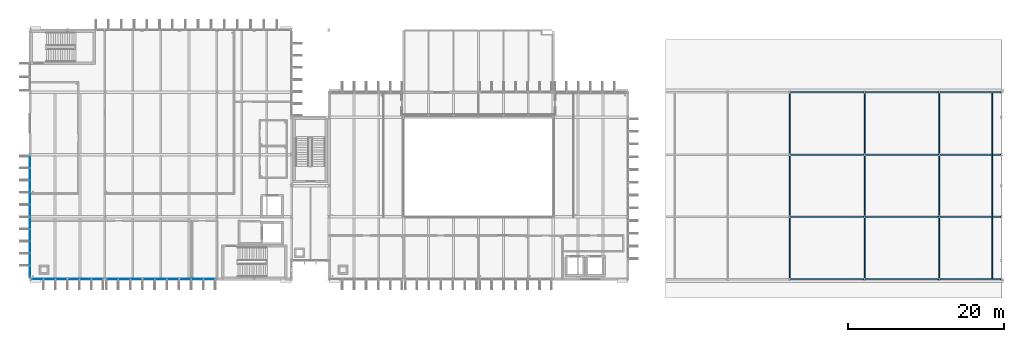
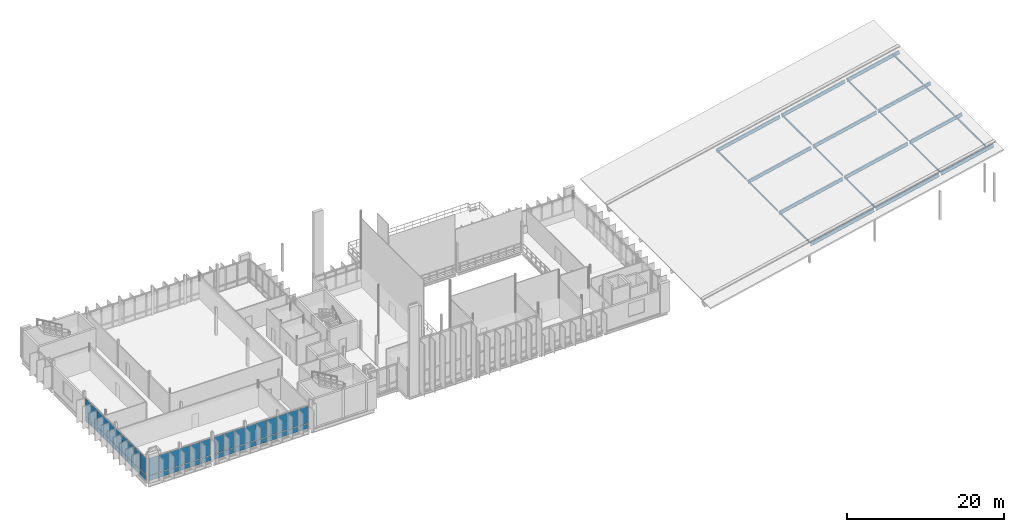
# One storey, part 18 of 41: 50 plates, 24 members, 3 elements without a shape of their own.
"""IFC4 building model written with IfcOpenShell, lengths in metres."""

from ifc_helpers import new_model, si_unit, direction, frame, origin, origin_2d, place, context, subcontext, project, spatial, rectangle, i_section, extrude, material, layer, layer_set, material_profile, profile_set, type_object, element, aggregate, save


model = new_model("IFC4")

# Units and contexts
model_context = context("Model", 3, precision=1e-05, world=origin(), true_north=direction((0.0, 1.0)))
body_context = subcontext(model_context, "Body", "Model", "MODEL_VIEW")
ifc_project = project(units=[si_unit("LENGTHUNIT", "METRE"), si_unit("AREAUNIT", "SQUARE_METRE"), si_unit("VOLUMEUNIT", "CUBIC_METRE"), si_unit("PLANEANGLEUNIT", "RADIAN"), si_unit("MASSUNIT", "GRAM", prefix="KILO")], contexts=[model_context])

# Site, building, storey
site_placement = place(None, origin())
site = spatial("IfcSite", under=ifc_project, at=site_placement, CompositionType="ELEMENT")
building_placement = place(site_placement, origin())
building = spatial("IfcBuilding", under=site, at=building_placement, Name="Dunescarp Central Library", CompositionType="ELEMENT")
storey_placement = place(building_placement, frame((0.0, 0.0, 23.10009765625)))
storey = spatial("IfcBuildingStorey", under=building, at=storey_placement, Name="L05", CompositionType="ELEMENT", Elevation=23.10009765625)

# Members
ifc_material_1 = material(Name="Steel S355JR", Category="steel")
ifc_material_profile_1 = material_profile(ifc_material_1, i_section(OverallWidth=0.1201171875, OverallDepth=0.239990234375, WebThickness=0.006103515625, FlangeThickness=0.009765625, at=origin_2d()), Name="IPE 240")
ifc_profile_set_1 = profile_set([ifc_material_profile_1], Name="Steel S355JR")
member_type_1 = type_object("IfcMemberType", Name="STR-PR-IPE240", PredefinedType="PURLIN", material=ifc_profile_set_1)
for number, where, z_axis, x_axis, name in (
    (1, (97.60009765625, 4.902099609375, 3.17578125), (0.0, 1.0, 0.0), (-1.0, 0.0, 0.0), "V3 roof purlin PR-V3-022"),
    (2, (97.60009765625, 12.902099609375, 3.17578125), (0.0, 1.0, 0.0), (-1.0, 0.0, 0.0), "V3 roof purlin PR-V3-023"),
    (3, (97.60009765625, 20.902099609375, 3.17578125), (0.0, 1.0, 0.0), (-1.0, 0.0, 0.0), "V3 roof purlin PR-V3-024"),
    (4, (107.199951171875, 4.902099609375, 5.308837890625), (0.0, 1.0, 0.0), (-1.0, 0.0, 0.0), "V3 roof purlin PR-V3-025"),
    (5, (107.199951171875, 12.902099609375, 5.308837890625), (0.0, 1.0, 0.0), (-1.0, 0.0, 0.0), "V3 roof purlin PR-V3-026"),
    (6, (107.199951171875, 20.902099609375, 5.308837890625), (0.0, 1.0, 0.0), (-1.0, 0.0, 0.0), "V3 roof purlin PR-V3-027"),
    (7, (116.800048828125, 4.902099609375, 7.44189453125), (0.0, 1.0, 0.0), (-1.0, 0.0, 0.0), "V3 roof purlin PR-V3-028"),
    (8, (116.800048828125, 12.902099609375, 7.44189453125), (0.0, 1.0, 0.0), (-1.0, 0.0, 0.0), "V3 roof purlin PR-V3-029"),
    (9, (116.800048828125, 20.902099609375, 7.44189453125), (0.0, 1.0, 0.0), (-1.0, 0.0, 0.0), "V3 roof purlin PR-V3-030"),
    (10, (123.60009765625, 4.902099609375, 8.953857421875), (0.0, 1.0, 0.0), (-1.0, 0.0, 0.0), "V3 roof purlin PR-V3-031"),
    (11, (123.60009765625, 12.902099609375, 8.953857421875), (0.0, 1.0, 0.0), (-1.0, 0.0, 0.0), "V3 roof purlin PR-V3-032"),
    (12, (123.60009765625, 20.902099609375, 8.953857421875), (0.0, 1.0, 0.0), (-1.0, 0.0, 0.0), "V3 roof purlin PR-V3-033"),
):
    element("IfcMember", number, at=place(storey_placement, frame(where, z_axis=z_axis, x_axis=x_axis)), inside=storey, type_object=member_type_1, Name=name, PredefinedType="PURLIN", context=body_context, shape_type="SweptSolid", body=[
        extrude(i_section(OverallWidth=0.1201171875, OverallDepth=0.239990234375, WebThickness=0.006103515625, FlangeThickness=0.009765625, at=origin_2d()), origin(), (0.0, 0.0, 1.0), 7.7958984375),
    ])
ifc_material_profile_2 = material_profile(ifc_material_1, i_section(OverallWidth=0.209228515625, OverallDepth=0.533203125, WebThickness=0.010009765625, FlangeThickness=0.015625, at=origin_2d()), Name="UB 533x210x92")
ifc_profile_set_2 = profile_set([ifc_material_profile_2], Name="Steel S355JR")
member_type_2 = type_object("IfcMemberType", Name="STR-RF-UB533", PredefinedType="RAFTER", material=ifc_profile_set_2)
member_1_placement = place(storey_placement, frame((97.716064453125, 4.800048828125, 2.81884765625), z_axis=(0.97618107379, 0.0, 0.216957394837), x_axis=(0.0, 1.0, 0.0)))
element("IfcMember", 13, at=member_1_placement, inside=storey, type_object=member_type_2, Name="V3 raked roof rafter RFT-V3-019", PredefinedType="RAFTER", context=body_context, shape_type="SweptSolid", body=[
    extrude(i_section(OverallWidth=0.209228515625, OverallDepth=0.533203125, WebThickness=0.010009765625, FlangeThickness=0.015625, at=origin_2d()), origin(), (0.0, 0.0, 1.0), 9.596435546875),
])
member_2_placement = place(storey_placement, frame((107.31591796875, 4.800048828125, 4.951904296875), z_axis=(0.976182271247, 0.0, 0.216952006911), x_axis=(0.0, 1.0, 0.0)))
element("IfcMember", 14, at=member_2_placement, inside=storey, type_object=member_type_2, Name="V3 raked roof rafter RFT-V3-020", PredefinedType="RAFTER", context=body_context, shape_type="SweptSolid", body=[
    extrude(i_section(OverallWidth=0.209228515625, OverallDepth=0.533203125, WebThickness=0.010009765625, FlangeThickness=0.015625, at=origin_2d()), origin(), (0.0, 0.0, 1.0), 9.5966796875),
])
member_3_placement = place(storey_placement, frame((116.916015625, 4.800048828125, 7.0859375), z_axis=(0.976191391351, 0.0, 0.216910966649), x_axis=(0.0, 1.0, 0.0)))
element("IfcMember", 15, at=member_3_placement, inside=storey, type_object=member_type_2, Name="V3 raked roof rafter RFT-V3-021", PredefinedType="RAFTER", context=body_context, shape_type="SweptSolid", body=[
    extrude(i_section(OverallWidth=0.209228515625, OverallDepth=0.533203125, WebThickness=0.010009765625, FlangeThickness=0.015625, at=origin_2d()), origin(), (0.0, 0.0, 1.0), 7.95751953125),
])
member_4_placement = place(storey_placement, frame((97.716064453125, 12.800048828125, 2.81884765625), z_axis=(0.97618107379, 0.0, 0.216957394837), x_axis=(0.0, 1.0, 0.0)))
element("IfcMember", 16, at=member_4_placement, inside=storey, type_object=member_type_2, Name="V3 raked roof rafter RFT-V3-024", PredefinedType="RAFTER", context=body_context, shape_type="SweptSolid", body=[
    extrude(i_section(OverallWidth=0.209228515625, OverallDepth=0.533203125, WebThickness=0.010009765625, FlangeThickness=0.015625, at=origin_2d()), origin(), (0.0, 0.0, 1.0), 9.596435546875),
])
member_5_placement = place(storey_placement, frame((107.31591796875, 12.800048828125, 4.951904296875), z_axis=(0.976182271247, 0.0, 0.216952006911), x_axis=(0.0, 1.0, 0.0)))
element("IfcMember", 17, at=member_5_placement, inside=storey, type_object=member_type_2, Name="V3 raked roof rafter RFT-V3-025", PredefinedType="RAFTER", context=body_context, shape_type="SweptSolid", body=[
    extrude(i_section(OverallWidth=0.209228515625, OverallDepth=0.533203125, WebThickness=0.010009765625, FlangeThickness=0.015625, at=origin_2d()), origin(), (0.0, 0.0, 1.0), 9.5966796875),
])
member_6_placement = place(storey_placement, frame((116.916015625, 12.800048828125, 7.0859375), z_axis=(0.976191391351, 0.0, 0.216910966649), x_axis=(0.0, 1.0, 0.0)))
element("IfcMember", 18, at=member_6_placement, inside=storey, type_object=member_type_2, Name="V3 raked roof rafter RFT-V3-026", PredefinedType="RAFTER", context=body_context, shape_type="SweptSolid", body=[
    extrude(i_section(OverallWidth=0.209228515625, OverallDepth=0.533203125, WebThickness=0.010009765625, FlangeThickness=0.015625, at=origin_2d()), origin(), (0.0, 0.0, 1.0), 7.95751953125),
])
member_7_placement = place(storey_placement, frame((97.716064453125, 20.800048828125, 2.81884765625), z_axis=(0.97618107379, 0.0, 0.216957394837), x_axis=(0.0, 1.0, 0.0)))
element("IfcMember", 19, at=member_7_placement, inside=storey, type_object=member_type_2, Name="V3 raked roof rafter RFT-V3-029", PredefinedType="RAFTER", context=body_context, shape_type="SweptSolid", body=[
    extrude(i_section(OverallWidth=0.209228515625, OverallDepth=0.533203125, WebThickness=0.010009765625, FlangeThickness=0.015625, at=origin_2d()), origin(), (0.0, 0.0, 1.0), 9.596435546875),
])
member_8_placement = place(storey_placement, frame((107.31591796875, 20.800048828125, 4.951904296875), z_axis=(0.976182271247, 0.0, 0.216952006911), x_axis=(0.0, 1.0, 0.0)))
element("IfcMember", 20, at=member_8_placement, inside=storey, type_object=member_type_2, Name="V3 raked roof rafter RFT-V3-030", PredefinedType="RAFTER", context=body_context, shape_type="SweptSolid", body=[
    extrude(i_section(OverallWidth=0.209228515625, OverallDepth=0.533203125, WebThickness=0.010009765625, FlangeThickness=0.015625, at=origin_2d()), origin(), (0.0, 0.0, 1.0), 9.5966796875),
])
member_9_placement = place(storey_placement, frame((116.916015625, 20.800048828125, 7.0859375), z_axis=(0.976191391351, 0.0, 0.216910966649), x_axis=(0.0, 1.0, 0.0)))
element("IfcMember", 21, at=member_9_placement, inside=storey, type_object=member_type_2, Name="V3 raked roof rafter RFT-V3-031", PredefinedType="RAFTER", context=body_context, shape_type="SweptSolid", body=[
    extrude(i_section(OverallWidth=0.209228515625, OverallDepth=0.533203125, WebThickness=0.010009765625, FlangeThickness=0.015625, at=origin_2d()), origin(), (0.0, 0.0, 1.0), 7.95751953125),
])
member_10_placement = place(storey_placement, frame((97.716064453125, 28.800048828125, 2.81884765625), z_axis=(0.97618107379, 0.0, 0.216957394837), x_axis=(0.0, 1.0, 0.0)))
element("IfcMember", 22, at=member_10_placement, inside=storey, type_object=member_type_2, Name="V3 raked roof rafter RFT-V3-034", PredefinedType="RAFTER", context=body_context, shape_type="SweptSolid", body=[
    extrude(i_section(OverallWidth=0.209228515625, OverallDepth=0.533203125, WebThickness=0.010009765625, FlangeThickness=0.015625, at=origin_2d()), origin(), (0.0, 0.0, 1.0), 9.596435546875),
])
member_11_placement = place(storey_placement, frame((107.31591796875, 28.800048828125, 4.951904296875), z_axis=(0.976182271247, 0.0, 0.216952006911), x_axis=(0.0, 1.0, 0.0)))
element("IfcMember", 23, at=member_11_placement, inside=storey, type_object=member_type_2, Name="V3 raked roof rafter RFT-V3-035", PredefinedType="RAFTER", context=body_context, shape_type="SweptSolid", body=[
    extrude(i_section(OverallWidth=0.209228515625, OverallDepth=0.533203125, WebThickness=0.010009765625, FlangeThickness=0.015625, at=origin_2d()), origin(), (0.0, 0.0, 1.0), 9.5966796875),
])
member_12_placement = place(storey_placement, frame((116.916015625, 28.800048828125, 7.0859375), z_axis=(0.976191391351, 0.0, 0.216910966649), x_axis=(0.0, 1.0, 0.0)))
element("IfcMember", 24, at=member_12_placement, inside=storey, type_object=member_type_2, Name="V3 raked roof rafter RFT-V3-036", PredefinedType="RAFTER", context=body_context, shape_type="SweptSolid", body=[
    extrude(i_section(OverallWidth=0.209228515625, OverallDepth=0.533203125, WebThickness=0.010009765625, FlangeThickness=0.015625, at=origin_2d()), origin(), (0.0, 0.0, 1.0), 7.95751953125),
])

# Curtain wall, plates
ifc_material_2 = material(Name="Marine-grade anodised aluminium 6063-T6", Category="aluminium")
curtain_wall_type = type_object("IfcCurtainWallType", Name="ARC-CW-STICK", PredefinedType="NOTDEFINED", material=ifc_material_2)
curtain_wall_1_placement = place(storey_placement, origin())
curtain_wall_1 = element("IfcCurtainWall", 25, at=curtain_wall_1_placement, inside=storey, type_object=curtain_wall_type, Name="L05 curtain wall CW-V1-031", PredefinedType="NOTDEFINED")
ifc_material_3 = material(Name="Solar-control laminated double glazing", Category="glass")
ifc_layer_1 = layer(ifc_material_3, 0.028076171875)
ifc_layer_set_1 = layer_set([ifc_layer_1], Name="Solar-control laminated double glazing")
plate_type_1 = type_object("IfcPlateType", Name="ARC-PLT-GLZ28", PredefinedType="CURTAIN_PANEL", material=ifc_layer_set_1)
plate_1_placement = place(storey_placement, frame((8.63427734375, 4.800048828125, 0.93994140625), z_axis=(0.0, 0.0, 1.0), x_axis=(-1.0, 0.0, 0.0)))
plate_1 = element("IfcPlate", 26, at=plate_1_placement, type_object=plate_type_1, Name="CW-V1-031 panel 1.2", PredefinedType="CURTAIN_PANEL", context=body_context, shape_type="SweptSolid", body=[
    extrude(rectangle(XDim=1.421630859375, YDim=0.028076171875, at=origin_2d()), origin(), (0.0, 0.0, 1.0), 2.633056640625),
])
plate_2_placement = place(storey_placement, frame((7.112548828125, 4.800048828125, 0.93994140625), z_axis=(0.0, 0.0, 1.0), x_axis=(-1.0, 0.0, 0.0)))
plate_2 = element("IfcPlate", 27, at=plate_2_placement, type_object=plate_type_1, Name="CW-V1-031 panel 2.2", PredefinedType="CURTAIN_PANEL", context=body_context, shape_type="SweptSolid", body=[
    extrude(rectangle(XDim=1.461669921875, YDim=0.028076171875, at=origin_2d()), origin(), (0.0, 0.0, 1.0), 2.633056640625),
])
plate_3_placement = place(storey_placement, frame((5.57080078125, 4.800048828125, 0.93994140625), z_axis=(0.0, 0.0, 1.0), x_axis=(-1.0, 0.0, 0.0)))
plate_3 = element("IfcPlate", 28, at=plate_3_placement, type_object=plate_type_1, Name="CW-V1-031 panel 3.2", PredefinedType="CURTAIN_PANEL", context=body_context, shape_type="SweptSolid", body=[
    extrude(rectangle(XDim=1.461669921875, YDim=0.028076171875, at=origin_2d()), origin(), (0.0, 0.0, 1.0), 2.633056640625),
])
plate_4_placement = place(storey_placement, frame((4.029052734375, 4.800048828125, 0.93994140625), z_axis=(0.0, 0.0, 1.0), x_axis=(-1.0, 0.0, 0.0)))
plate_4 = element("IfcPlate", 29, at=plate_4_placement, type_object=plate_type_1, Name="CW-V1-031 panel 4.2", PredefinedType="CURTAIN_PANEL", context=body_context, shape_type="SweptSolid", body=[
    extrude(rectangle(XDim=1.461669921875, YDim=0.028076171875, at=origin_2d()), origin(), (0.0, 0.0, 1.0), 2.633056640625),
])
plate_5_placement = place(storey_placement, frame((2.487548828125, 4.800048828125, 0.93994140625), z_axis=(0.0, 0.0, 1.0), x_axis=(-1.0, 0.0, 0.0)))
plate_5 = element("IfcPlate", 30, at=plate_5_placement, type_object=plate_type_1, Name="CW-V1-031 panel 5.2", PredefinedType="CURTAIN_PANEL", context=body_context, shape_type="SweptSolid", body=[
    extrude(rectangle(XDim=1.461669921875, YDim=0.028076171875, at=origin_2d()), origin(), (0.0, 0.0, 1.0), 2.633056640625),
])
plate_6_placement = place(storey_placement, frame((0.9658203125, 4.800048828125, 0.93994140625), z_axis=(0.0, 0.0, 1.0), x_axis=(-1.0, 0.0, 0.0)))
plate_6 = element("IfcPlate", 31, at=plate_6_placement, type_object=plate_type_1, Name="CW-V1-031 panel 6.2", PredefinedType="CURTAIN_PANEL", context=body_context, shape_type="SweptSolid", body=[
    extrude(rectangle(XDim=1.421630859375, YDim=0.028076171875, at=origin_2d()), origin(), (0.0, 0.0, 1.0), 2.633056640625),
])

curtain_wall_2_placement = place(storey_placement, origin())
curtain_wall_2 = element("IfcCurtainWall", 32, at=curtain_wall_2_placement, inside=storey, type_object=curtain_wall_type, Name="L05 curtain wall CW-V1-032", PredefinedType="NOTDEFINED")
plate_7_placement = place(storey_placement, frame((23.0244140625, 4.800048828125, 0.93994140625), z_axis=(0.0, 0.0, 1.0), x_axis=(-1.0, 0.0, 0.0)))
plate_7 = element("IfcPlate", 33, at=plate_7_placement, type_object=plate_type_1, Name="CW-V1-032 panel 1.2", PredefinedType="CURTAIN_PANEL", context=body_context, shape_type="SweptSolid", body=[
    extrude(rectangle(XDim=1.441162109375, YDim=0.028076171875, at=origin_2d()), origin(), (0.0, 0.0, 1.0), 2.633056640625),
])
plate_8_placement = place(storey_placement, frame((21.4833984375, 4.800048828125, 0.93994140625), z_axis=(0.0, 0.0, 1.0), x_axis=(-1.0, 0.0, 0.0)))
plate_8 = element("IfcPlate", 34, at=plate_8_placement, type_object=plate_type_1, Name="CW-V1-032 panel 2.2", PredefinedType="CURTAIN_PANEL", context=body_context, shape_type="SweptSolid", body=[
    extrude(rectangle(XDim=1.481201171875, YDim=0.028076171875, at=origin_2d()), origin(), (0.0, 0.0, 1.0), 2.633056640625),
])
plate_9_placement = place(storey_placement, frame((19.922119140625, 4.800048828125, 0.93994140625), z_axis=(0.0, 0.0, 1.0), x_axis=(-1.0, 0.0, 0.0)))
plate_9 = element("IfcPlate", 35, at=plate_9_placement, type_object=plate_type_1, Name="CW-V1-032 panel 3.2", PredefinedType="CURTAIN_PANEL", context=body_context, shape_type="SweptSolid", body=[
    extrude(rectangle(XDim=1.481201171875, YDim=0.028076171875, at=origin_2d()), origin(), (0.0, 0.0, 1.0), 2.633056640625),
])
plate_10_placement = place(storey_placement, frame((18.361083984375, 4.800048828125, 0.93994140625), z_axis=(0.0, 0.0, 1.0), x_axis=(-1.0, 0.0, 0.0)))
plate_10 = element("IfcPlate", 36, at=plate_10_placement, type_object=plate_type_1, Name="CW-V1-032 panel 4.2", PredefinedType="CURTAIN_PANEL", context=body_context, shape_type="SweptSolid", body=[
    extrude(rectangle(XDim=1.481201171875, YDim=0.028076171875, at=origin_2d()), origin(), (0.0, 0.0, 1.0), 2.633056640625),
])
plate_11_placement = place(storey_placement, frame((16.800048828125, 4.800048828125, 0.93994140625), z_axis=(0.0, 0.0, 1.0), x_axis=(-1.0, 0.0, 0.0)))
plate_11 = element("IfcPlate", 37, at=plate_11_placement, type_object=plate_type_1, Name="CW-V1-032 panel 5.2", PredefinedType="CURTAIN_PANEL", context=body_context, shape_type="SweptSolid", body=[
    extrude(rectangle(XDim=1.481201171875, YDim=0.028076171875, at=origin_2d()), origin(), (0.0, 0.0, 1.0), 2.633056640625),
])
plate_12_placement = place(storey_placement, frame((15.23876953125, 4.800048828125, 0.93994140625), z_axis=(0.0, 0.0, 1.0), x_axis=(-1.0, 0.0, 0.0)))
plate_12 = element("IfcPlate", 38, at=plate_12_placement, type_object=plate_type_1, Name="CW-V1-032 panel 6.2", PredefinedType="CURTAIN_PANEL", context=body_context, shape_type="SweptSolid", body=[
    extrude(rectangle(XDim=1.481201171875, YDim=0.028076171875, at=origin_2d()), origin(), (0.0, 0.0, 1.0), 2.633056640625),
])
plate_13_placement = place(storey_placement, frame((13.677734375, 4.800048828125, 0.93994140625), z_axis=(0.0, 0.0, 1.0), x_axis=(-1.0, 0.0, 0.0)))
plate_13 = element("IfcPlate", 39, at=plate_13_placement, type_object=plate_type_1, Name="CW-V1-032 panel 7.2", PredefinedType="CURTAIN_PANEL", context=body_context, shape_type="SweptSolid", body=[
    extrude(rectangle(XDim=1.481201171875, YDim=0.028076171875, at=origin_2d()), origin(), (0.0, 0.0, 1.0), 2.633056640625),
])
plate_14_placement = place(storey_placement, frame((12.11669921875, 4.800048828125, 0.93994140625), z_axis=(0.0, 0.0, 1.0), x_axis=(-1.0, 0.0, 0.0)))
plate_14 = element("IfcPlate", 40, at=plate_14_placement, type_object=plate_type_1, Name="CW-V1-032 panel 8.2", PredefinedType="CURTAIN_PANEL", context=body_context, shape_type="SweptSolid", body=[
    extrude(rectangle(XDim=1.481201171875, YDim=0.028076171875, at=origin_2d()), origin(), (0.0, 0.0, 1.0), 2.633056640625),
])
plate_15_placement = place(storey_placement, frame((10.575439453125, 4.800048828125, 0.93994140625), z_axis=(0.0, 0.0, 1.0), x_axis=(-1.0, 0.0, 0.0)))
plate_15 = element("IfcPlate", 41, at=plate_15_placement, type_object=plate_type_1, Name="CW-V1-032 panel 9.2", PredefinedType="CURTAIN_PANEL", context=body_context, shape_type="SweptSolid", body=[
    extrude(rectangle(XDim=1.441162109375, YDim=0.028076171875, at=origin_2d()), origin(), (0.0, 0.0, 1.0), 2.633056640625),
])

curtain_wall_3_placement = place(storey_placement, origin())
curtain_wall_3 = element("IfcCurtainWall", 42, at=curtain_wall_3_placement, inside=storey, type_object=curtain_wall_type, Name="L05 curtain wall CW-V1-035", PredefinedType="NOTDEFINED")
plate_16_placement = place(storey_placement, frame((0.0, 5.777587890625, 0.93994140625), z_axis=(0.0, 0.0, 1.0), x_axis=(0.0, 1.0, 0.0)))
plate_16 = element("IfcPlate", 43, at=plate_16_placement, type_object=plate_type_1, Name="CW-V1-035 panel 1.2", PredefinedType="CURTAIN_PANEL", context=body_context, shape_type="SweptSolid", body=[
    extrude(rectangle(XDim=1.445068359375, YDim=0.028076171875, at=origin_2d()), origin(), (0.0, 0.0, 1.0), 2.633056640625),
])
plate_17_placement = place(storey_placement, frame((0.0, 7.322509765625, 0.93994140625), z_axis=(0.0, 0.0, 1.0), x_axis=(0.0, 1.0, 0.0)))
plate_17 = element("IfcPlate", 44, at=plate_17_placement, type_object=plate_type_1, Name="CW-V1-035 panel 2.2", PredefinedType="CURTAIN_PANEL", context=body_context, shape_type="SweptSolid", body=[
    extrude(rectangle(XDim=1.485107421875, YDim=0.028076171875, at=origin_2d()), origin(), (0.0, 0.0, 1.0), 2.633056640625),
])
plate_18_placement = place(storey_placement, frame((0.0, 8.887451171875, 0.93994140625), z_axis=(0.0, 0.0, 1.0), x_axis=(0.0, 1.0, 0.0)))
plate_18 = element("IfcPlate", 45, at=plate_18_placement, type_object=plate_type_1, Name="CW-V1-035 panel 3.2", PredefinedType="CURTAIN_PANEL", context=body_context, shape_type="SweptSolid", body=[
    extrude(rectangle(XDim=1.485107421875, YDim=0.028076171875, at=origin_2d()), origin(), (0.0, 0.0, 1.0), 2.633056640625),
])
plate_19_placement = place(storey_placement, frame((0.0, 10.452392578125, 0.93994140625), z_axis=(0.0, 0.0, 1.0), x_axis=(0.0, 1.0, 0.0)))
plate_19 = element("IfcPlate", 46, at=plate_19_placement, type_object=plate_type_1, Name="CW-V1-035 panel 4.2", PredefinedType="CURTAIN_PANEL", context=body_context, shape_type="SweptSolid", body=[
    extrude(rectangle(XDim=1.485107421875, YDim=0.028076171875, at=origin_2d()), origin(), (0.0, 0.0, 1.0), 2.633056640625),
])
plate_20_placement = place(storey_placement, frame((0.0, 12.017578125, 0.93994140625), z_axis=(0.0, 0.0, 1.0), x_axis=(0.0, 1.0, 0.0)))
plate_20 = element("IfcPlate", 47, at=plate_20_placement, type_object=plate_type_1, Name="CW-V1-035 panel 5.2", PredefinedType="CURTAIN_PANEL", context=body_context, shape_type="SweptSolid", body=[
    extrude(rectangle(XDim=1.485107421875, YDim=0.028076171875, at=origin_2d()), origin(), (0.0, 0.0, 1.0), 2.633056640625),
])
plate_21_placement = place(storey_placement, frame((0.0, 13.58251953125, 0.93994140625), z_axis=(0.0, 0.0, 1.0), x_axis=(0.0, 1.0, 0.0)))
plate_21 = element("IfcPlate", 48, at=plate_21_placement, type_object=plate_type_1, Name="CW-V1-035 panel 6.2", PredefinedType="CURTAIN_PANEL", context=body_context, shape_type="SweptSolid", body=[
    extrude(rectangle(XDim=1.485107421875, YDim=0.028076171875, at=origin_2d()), origin(), (0.0, 0.0, 1.0), 2.633056640625),
])
plate_22_placement = place(storey_placement, frame((0.0, 15.1474609375, 0.93994140625), z_axis=(0.0, 0.0, 1.0), x_axis=(0.0, 1.0, 0.0)))
plate_22 = element("IfcPlate", 49, at=plate_22_placement, type_object=plate_type_1, Name="CW-V1-035 panel 7.2", PredefinedType="CURTAIN_PANEL", context=body_context, shape_type="SweptSolid", body=[
    extrude(rectangle(XDim=1.485107421875, YDim=0.028076171875, at=origin_2d()), origin(), (0.0, 0.0, 1.0), 2.633056640625),
])
plate_23_placement = place(storey_placement, frame((0.0, 16.71240234375, 0.93994140625), z_axis=(0.0, 0.0, 1.0), x_axis=(0.0, 1.0, 0.0)))
plate_23 = element("IfcPlate", 50, at=plate_23_placement, type_object=plate_type_1, Name="CW-V1-035 panel 8.2", PredefinedType="CURTAIN_PANEL", context=body_context, shape_type="SweptSolid", body=[
    extrude(rectangle(XDim=1.485107421875, YDim=0.028076171875, at=origin_2d()), origin(), (0.0, 0.0, 1.0), 2.633056640625),
])
plate_24_placement = place(storey_placement, frame((0.0, 18.277587890625, 0.93994140625), z_axis=(0.0, 0.0, 1.0), x_axis=(0.0, 1.0, 0.0)))
plate_24 = element("IfcPlate", 51, at=plate_24_placement, type_object=plate_type_1, Name="CW-V1-035 panel 9.2", PredefinedType="CURTAIN_PANEL", context=body_context, shape_type="SweptSolid", body=[
    extrude(rectangle(XDim=1.485107421875, YDim=0.028076171875, at=origin_2d()), origin(), (0.0, 0.0, 1.0), 2.633056640625),
])
plate_25_placement = place(storey_placement, frame((0.0, 19.822509765625, 0.93994140625), z_axis=(0.0, 0.0, 1.0), x_axis=(0.0, 1.0, 0.0)))
plate_25 = element("IfcPlate", 52, at=plate_25_placement, type_object=plate_type_1, Name="CW-V1-035 panel 10.2", PredefinedType="CURTAIN_PANEL", context=body_context, shape_type="SweptSolid", body=[
    extrude(rectangle(XDim=1.445068359375, YDim=0.028076171875, at=origin_2d()), origin(), (0.0, 0.0, 1.0), 2.633056640625),
])

# Plate
ifc_layer_2 = layer(ifc_material_2, 0.050048828125)
ifc_layer_set_2 = layer_set([ifc_layer_2], Name="Marine-grade anodised aluminium 6063-T6")
plate_type_2 = type_object("IfcPlateType", Name="ARC-PLT-SPN50", PredefinedType="SHEET", material=ifc_layer_set_2)
plate_26_placement = place(storey_placement, frame((8.63427734375, 4.800048828125, 0.080078125), z_axis=(0.0, 0.0, 1.0), x_axis=(-1.0, 0.0, 0.0)))
plate_26 = element("IfcPlate", 53, at=plate_26_placement, type_object=plate_type_2, Name="CW-V1-031 panel 1.1", PredefinedType="SHEET", context=body_context, shape_type="SweptSolid", body=[
    extrude(rectangle(XDim=1.421630859375, YDim=0.050048828125, at=origin_2d()), origin(), (0.0, 0.0, 1.0), 0.780029296875),
])

plate_27_placement = place(storey_placement, frame((7.112548828125, 4.800048828125, 0.080078125), z_axis=(0.0, 0.0, 1.0), x_axis=(-1.0, 0.0, 0.0)))
plate_27 = element("IfcPlate", 54, at=plate_27_placement, type_object=plate_type_2, Name="CW-V1-031 panel 2.1", PredefinedType="SHEET", context=body_context, shape_type="SweptSolid", body=[
    extrude(rectangle(XDim=1.461669921875, YDim=0.050048828125, at=origin_2d()), origin(), (0.0, 0.0, 1.0), 0.780029296875),
])

plate_28_placement = place(storey_placement, frame((5.57080078125, 4.800048828125, 0.080078125), z_axis=(0.0, 0.0, 1.0), x_axis=(-1.0, 0.0, 0.0)))
plate_28 = element("IfcPlate", 55, at=plate_28_placement, type_object=plate_type_2, Name="CW-V1-031 panel 3.1", PredefinedType="SHEET", context=body_context, shape_type="SweptSolid", body=[
    extrude(rectangle(XDim=1.461669921875, YDim=0.050048828125, at=origin_2d()), origin(), (0.0, 0.0, 1.0), 0.780029296875),
])

plate_29_placement = place(storey_placement, frame((4.029052734375, 4.800048828125, 0.080078125), z_axis=(0.0, 0.0, 1.0), x_axis=(-1.0, 0.0, 0.0)))
plate_29 = element("IfcPlate", 56, at=plate_29_placement, type_object=plate_type_2, Name="CW-V1-031 panel 4.1", PredefinedType="SHEET", context=body_context, shape_type="SweptSolid", body=[
    extrude(rectangle(XDim=1.461669921875, YDim=0.050048828125, at=origin_2d()), origin(), (0.0, 0.0, 1.0), 0.780029296875),
])

plate_30_placement = place(storey_placement, frame((2.487548828125, 4.800048828125, 0.080078125), z_axis=(0.0, 0.0, 1.0), x_axis=(-1.0, 0.0, 0.0)))
plate_30 = element("IfcPlate", 57, at=plate_30_placement, type_object=plate_type_2, Name="CW-V1-031 panel 5.1", PredefinedType="SHEET", context=body_context, shape_type="SweptSolid", body=[
    extrude(rectangle(XDim=1.461669921875, YDim=0.050048828125, at=origin_2d()), origin(), (0.0, 0.0, 1.0), 0.780029296875),
])

plate_31_placement = place(storey_placement, frame((0.9658203125, 4.800048828125, 0.080078125), z_axis=(0.0, 0.0, 1.0), x_axis=(-1.0, 0.0, 0.0)))
plate_31 = element("IfcPlate", 58, at=plate_31_placement, type_object=plate_type_2, Name="CW-V1-031 panel 6.1", PredefinedType="SHEET", context=body_context, shape_type="SweptSolid", body=[
    extrude(rectangle(XDim=1.421630859375, YDim=0.050048828125, at=origin_2d()), origin(), (0.0, 0.0, 1.0), 0.780029296875),
])

aggregate(curtain_wall_1, [plate_26, plate_1, plate_27, plate_2, plate_28, plate_3, plate_29, plate_4, plate_30, plate_5, plate_31, plate_6])

plate_32_placement = place(storey_placement, frame((23.0244140625, 4.800048828125, 0.080078125), z_axis=(0.0, 0.0, 1.0), x_axis=(-1.0, 0.0, 0.0)))
plate_32 = element("IfcPlate", 59, at=plate_32_placement, type_object=plate_type_2, Name="CW-V1-032 panel 1.1", PredefinedType="SHEET", context=body_context, shape_type="SweptSolid", body=[
    extrude(rectangle(XDim=1.441162109375, YDim=0.050048828125, at=origin_2d()), origin(), (0.0, 0.0, 1.0), 0.780029296875),
])

plate_33_placement = place(storey_placement, frame((21.4833984375, 4.800048828125, 0.080078125), z_axis=(0.0, 0.0, 1.0), x_axis=(-1.0, 0.0, 0.0)))
plate_33 = element("IfcPlate", 60, at=plate_33_placement, type_object=plate_type_2, Name="CW-V1-032 panel 2.1", PredefinedType="SHEET", context=body_context, shape_type="SweptSolid", body=[
    extrude(rectangle(XDim=1.481201171875, YDim=0.050048828125, at=origin_2d()), origin(), (0.0, 0.0, 1.0), 0.780029296875),
])

plate_34_placement = place(storey_placement, frame((19.922119140625, 4.800048828125, 0.080078125), z_axis=(0.0, 0.0, 1.0), x_axis=(-1.0, 0.0, 0.0)))
plate_34 = element("IfcPlate", 61, at=plate_34_placement, type_object=plate_type_2, Name="CW-V1-032 panel 3.1", PredefinedType="SHEET", context=body_context, shape_type="SweptSolid", body=[
    extrude(rectangle(XDim=1.481201171875, YDim=0.050048828125, at=origin_2d()), origin(), (0.0, 0.0, 1.0), 0.780029296875),
])

plate_35_placement = place(storey_placement, frame((18.361083984375, 4.800048828125, 0.080078125), z_axis=(0.0, 0.0, 1.0), x_axis=(-1.0, 0.0, 0.0)))
plate_35 = element("IfcPlate", 62, at=plate_35_placement, type_object=plate_type_2, Name="CW-V1-032 panel 4.1", PredefinedType="SHEET", context=body_context, shape_type="SweptSolid", body=[
    extrude(rectangle(XDim=1.481201171875, YDim=0.050048828125, at=origin_2d()), origin(), (0.0, 0.0, 1.0), 0.780029296875),
])

plate_36_placement = place(storey_placement, frame((16.800048828125, 4.800048828125, 0.080078125), z_axis=(0.0, 0.0, 1.0), x_axis=(-1.0, 0.0, 0.0)))
plate_36 = element("IfcPlate", 63, at=plate_36_placement, type_object=plate_type_2, Name="CW-V1-032 panel 5.1", PredefinedType="SHEET", context=body_context, shape_type="SweptSolid", body=[
    extrude(rectangle(XDim=1.481201171875, YDim=0.050048828125, at=origin_2d()), origin(), (0.0, 0.0, 1.0), 0.780029296875),
])

plate_37_placement = place(storey_placement, frame((15.23876953125, 4.800048828125, 0.080078125), z_axis=(0.0, 0.0, 1.0), x_axis=(-1.0, 0.0, 0.0)))
plate_37 = element("IfcPlate", 64, at=plate_37_placement, type_object=plate_type_2, Name="CW-V1-032 panel 6.1", PredefinedType="SHEET", context=body_context, shape_type="SweptSolid", body=[
    extrude(rectangle(XDim=1.481201171875, YDim=0.050048828125, at=origin_2d()), origin(), (0.0, 0.0, 1.0), 0.780029296875),
])

plate_38_placement = place(storey_placement, frame((13.677734375, 4.800048828125, 0.080078125), z_axis=(0.0, 0.0, 1.0), x_axis=(-1.0, 0.0, 0.0)))
plate_38 = element("IfcPlate", 65, at=plate_38_placement, type_object=plate_type_2, Name="CW-V1-032 panel 7.1", PredefinedType="SHEET", context=body_context, shape_type="SweptSolid", body=[
    extrude(rectangle(XDim=1.481201171875, YDim=0.050048828125, at=origin_2d()), origin(), (0.0, 0.0, 1.0), 0.780029296875),
])

plate_39_placement = place(storey_placement, frame((12.11669921875, 4.800048828125, 0.080078125), z_axis=(0.0, 0.0, 1.0), x_axis=(-1.0, 0.0, 0.0)))
plate_39 = element("IfcPlate", 66, at=plate_39_placement, type_object=plate_type_2, Name="CW-V1-032 panel 8.1", PredefinedType="SHEET", context=body_context, shape_type="SweptSolid", body=[
    extrude(rectangle(XDim=1.481201171875, YDim=0.050048828125, at=origin_2d()), origin(), (0.0, 0.0, 1.0), 0.780029296875),
])

plate_40_placement = place(storey_placement, frame((10.575439453125, 4.800048828125, 0.080078125), z_axis=(0.0, 0.0, 1.0), x_axis=(-1.0, 0.0, 0.0)))
plate_40 = element("IfcPlate", 67, at=plate_40_placement, type_object=plate_type_2, Name="CW-V1-032 panel 9.1", PredefinedType="SHEET", context=body_context, shape_type="SweptSolid", body=[
    extrude(rectangle(XDim=1.441162109375, YDim=0.050048828125, at=origin_2d()), origin(), (0.0, 0.0, 1.0), 0.780029296875),
])

aggregate(curtain_wall_2, [plate_32, plate_7, plate_33, plate_8, plate_34, plate_9, plate_35, plate_10, plate_36, plate_11, plate_37, plate_12, plate_38, plate_13, plate_39, plate_14, plate_40, plate_15])

plate_41_placement = place(storey_placement, frame((0.0, 5.777587890625, 0.080078125), z_axis=(0.0, 0.0, 1.0), x_axis=(0.0, 1.0, 0.0)))
plate_41 = element("IfcPlate", 68, at=plate_41_placement, type_object=plate_type_2, Name="CW-V1-035 panel 1.1", PredefinedType="SHEET", context=body_context, shape_type="SweptSolid", body=[
    extrude(rectangle(XDim=1.445068359375, YDim=0.050048828125, at=origin_2d()), origin(), (0.0, 0.0, 1.0), 0.780029296875),
])

plate_42_placement = place(storey_placement, frame((0.0, 7.322509765625, 0.080078125), z_axis=(0.0, 0.0, 1.0), x_axis=(0.0, 1.0, 0.0)))
plate_42 = element("IfcPlate", 69, at=plate_42_placement, type_object=plate_type_2, Name="CW-V1-035 panel 2.1", PredefinedType="SHEET", context=body_context, shape_type="SweptSolid", body=[
    extrude(rectangle(XDim=1.485107421875, YDim=0.050048828125, at=origin_2d()), origin(), (0.0, 0.0, 1.0), 0.780029296875),
])

plate_43_placement = place(storey_placement, frame((0.0, 8.887451171875, 0.080078125), z_axis=(0.0, 0.0, 1.0), x_axis=(0.0, 1.0, 0.0)))
plate_43 = element("IfcPlate", 70, at=plate_43_placement, type_object=plate_type_2, Name="CW-V1-035 panel 3.1", PredefinedType="SHEET", context=body_context, shape_type="SweptSolid", body=[
    extrude(rectangle(XDim=1.485107421875, YDim=0.050048828125, at=origin_2d()), origin(), (0.0, 0.0, 1.0), 0.780029296875),
])

plate_44_placement = place(storey_placement, frame((0.0, 10.452392578125, 0.080078125), z_axis=(0.0, 0.0, 1.0), x_axis=(0.0, 1.0, 0.0)))
plate_44 = element("IfcPlate", 71, at=plate_44_placement, type_object=plate_type_2, Name="CW-V1-035 panel 4.1", PredefinedType="SHEET", context=body_context, shape_type="SweptSolid", body=[
    extrude(rectangle(XDim=1.485107421875, YDim=0.050048828125, at=origin_2d()), origin(), (0.0, 0.0, 1.0), 0.780029296875),
])

plate_45_placement = place(storey_placement, frame((0.0, 12.017578125, 0.080078125), z_axis=(0.0, 0.0, 1.0), x_axis=(0.0, 1.0, 0.0)))
plate_45 = element("IfcPlate", 72, at=plate_45_placement, type_object=plate_type_2, Name="CW-V1-035 panel 5.1", PredefinedType="SHEET", context=body_context, shape_type="SweptSolid", body=[
    extrude(rectangle(XDim=1.485107421875, YDim=0.050048828125, at=origin_2d()), origin(), (0.0, 0.0, 1.0), 0.780029296875),
])

plate_46_placement = place(storey_placement, frame((0.0, 13.58251953125, 0.080078125), z_axis=(0.0, 0.0, 1.0), x_axis=(0.0, 1.0, 0.0)))
plate_46 = element("IfcPlate", 73, at=plate_46_placement, type_object=plate_type_2, Name="CW-V1-035 panel 6.1", PredefinedType="SHEET", context=body_context, shape_type="SweptSolid", body=[
    extrude(rectangle(XDim=1.485107421875, YDim=0.050048828125, at=origin_2d()), origin(), (0.0, 0.0, 1.0), 0.780029296875),
])

plate_47_placement = place(storey_placement, frame((0.0, 15.1474609375, 0.080078125), z_axis=(0.0, 0.0, 1.0), x_axis=(0.0, 1.0, 0.0)))
plate_47 = element("IfcPlate", 74, at=plate_47_placement, type_object=plate_type_2, Name="CW-V1-035 panel 7.1", PredefinedType="SHEET", context=body_context, shape_type="SweptSolid", body=[
    extrude(rectangle(XDim=1.485107421875, YDim=0.050048828125, at=origin_2d()), origin(), (0.0, 0.0, 1.0), 0.780029296875),
])

plate_48_placement = place(storey_placement, frame((0.0, 16.71240234375, 0.080078125), z_axis=(0.0, 0.0, 1.0), x_axis=(0.0, 1.0, 0.0)))
plate_48 = element("IfcPlate", 75, at=plate_48_placement, type_object=plate_type_2, Name="CW-V1-035 panel 8.1", PredefinedType="SHEET", context=body_context, shape_type="SweptSolid", body=[
    extrude(rectangle(XDim=1.485107421875, YDim=0.050048828125, at=origin_2d()), origin(), (0.0, 0.0, 1.0), 0.780029296875),
])

plate_49_placement = place(storey_placement, frame((0.0, 18.277587890625, 0.080078125), z_axis=(0.0, 0.0, 1.0), x_axis=(0.0, 1.0, 0.0)))
plate_49 = element("IfcPlate", 76, at=plate_49_placement, type_object=plate_type_2, Name="CW-V1-035 panel 9.1", PredefinedType="SHEET", context=body_context, shape_type="SweptSolid", body=[
    extrude(rectangle(XDim=1.485107421875, YDim=0.050048828125, at=origin_2d()), origin(), (0.0, 0.0, 1.0), 0.780029296875),
])

plate_50_placement = place(storey_placement, frame((0.0, 19.822509765625, 0.080078125), z_axis=(0.0, 0.0, 1.0), x_axis=(0.0, 1.0, 0.0)))
plate_50 = element("IfcPlate", 77, at=plate_50_placement, type_object=plate_type_2, Name="CW-V1-035 panel 10.1", PredefinedType="SHEET", context=body_context, shape_type="SweptSolid", body=[
    extrude(rectangle(XDim=1.445068359375, YDim=0.050048828125, at=origin_2d()), origin(), (0.0, 0.0, 1.0), 0.780029296875),
])

aggregate(curtain_wall_3, [plate_41, plate_16, plate_42, plate_17, plate_43, plate_18, plate_44, plate_19, plate_45, plate_20, plate_46, plate_21, plate_47, plate_22, plate_48, plate_23, plate_49, plate_24, plate_50, plate_25])

save(model, "model.ifc")
